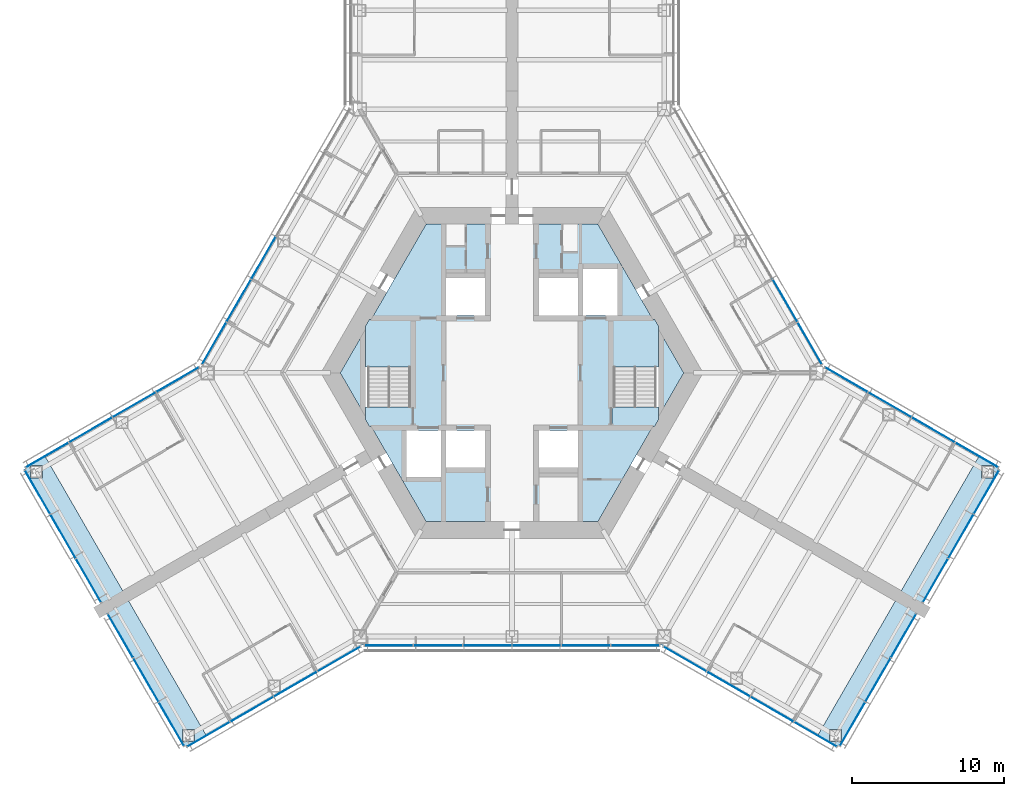
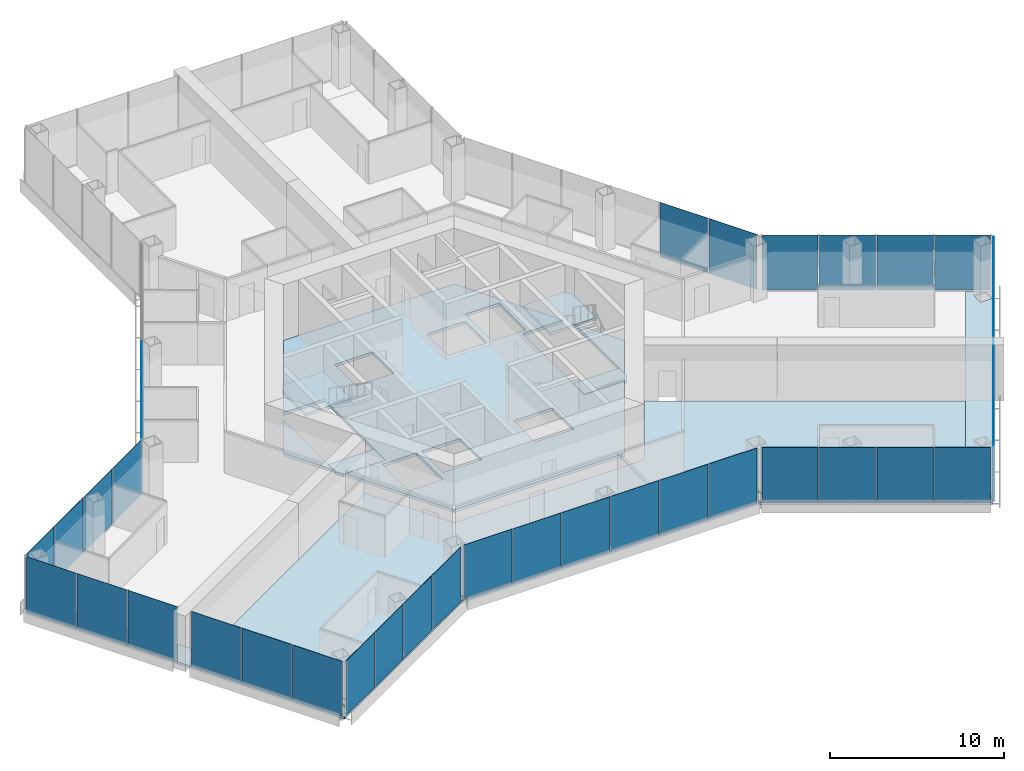
# One storey, part 10 of 18: 39 plates, 10 slabs, 13 elements without a shape of their own.
"""IFC4 building model written with IfcOpenShell, lengths in metres."""

from ifc_helpers import new_model, si_unit, direction, frame, origin, origin_2d, place, context, subcontext, project, spatial, polyline, rectangle, outline, extrude, material, layer, layer_set, type_object, element, aggregate, save


model = new_model("IFC4")

# Units and contexts
model_context = context("Model", 3, precision=1e-05, world=origin(), true_north=direction((0.0, 1.0)))
body_context = subcontext(model_context, "Body", "Model", "MODEL_VIEW")
ifc_project = project(units=[si_unit("LENGTHUNIT", "METRE"), si_unit("AREAUNIT", "SQUARE_METRE"), si_unit("VOLUMEUNIT", "CUBIC_METRE"), si_unit("PLANEANGLEUNIT", "RADIAN"), si_unit("MASSUNIT", "GRAM", prefix="KILO")], contexts=[model_context])

# Site, building, storey
site_placement = place(None, origin())
site = spatial("IfcSite", under=ifc_project, at=site_placement, CompositionType="ELEMENT")
building_placement = place(site_placement, origin())
building = spatial("IfcBuilding", under=site, at=building_placement, Name="Kasaneha Research Tower", CompositionType="ELEMENT")
storey_placement = place(building_placement, frame((0.0, 0.0, 65.10009765625)))
storey = spatial("IfcBuildingStorey", under=building, at=storey_placement, Name="L16", CompositionType="ELEMENT", Elevation=65.10009765625)

# Curtain wall, plates
ifc_material_1 = material(Name="Glass and aluminium", Category="aluminium")
curtain_wall_type = type_object("IfcCurtainWallType", Name="Low-rise office curtain wall", PredefinedType="USERDEFINED", material=ifc_material_1)
curtain_wall_1_placement = place(storey_placement, origin())
curtain_wall_1 = element("IfcCurtainWall", 1, at=curtain_wall_1_placement, inside=storey, type_object=curtain_wall_type, Name="CW-O1 L16 run 01a", ObjectType="UNITISED CURTAIN WALL", PredefinedType="USERDEFINED")
ifc_material_2 = material(Name="Laminated double glazing", Category="glass")
ifc_layer_1 = layer(ifc_material_2, 0.028076171875)
ifc_layer_set_1 = layer_set([ifc_layer_1], Name="CW-O1 glazed panel")
plate_type = type_object("IfcPlateType", Name="CW-O1 glazed panel", PredefinedType="CURTAIN_PANEL", material=ifc_layer_set_1)
plate_1_placement = place(storey_placement, frame((-19.945068359375, -23.755126953125, 0.06005859375), z_axis=(0.0, 0.0, 1.0), x_axis=(0.866025411464, 0.499999986699, 0.0)))
plate_1 = element("IfcPlate", 2, at=plate_1_placement, type_object=plate_type, Name="CW-O1 panel 1", PredefinedType="CURTAIN_PANEL", context=body_context, shape_type="SweptSolid", body=[
    extrude(rectangle(XDim=3.2197265625, YDim=0.028076171875, at=origin_2d()), origin(), (0.0, 0.0, 1.0), 3.840087890625),
])
plate_2_placement = place(storey_placement, frame((-17.091796875, -22.107666015625, 0.06005859375), z_axis=(0.0, 0.0, 1.0), x_axis=(0.866025411464, 0.499999986699, 0.0)))
plate_2 = element("IfcPlate", 3, at=plate_2_placement, type_object=plate_type, Name="CW-O1 panel 2", PredefinedType="CURTAIN_PANEL", context=body_context, shape_type="SweptSolid", body=[
    extrude(rectangle(XDim=3.249755859375, YDim=0.028076171875, at=origin_2d()), origin(), (0.0, 0.0, 1.0), 3.840087890625),
])
plate_3_placement = place(storey_placement, frame((-14.225341796875, -20.452880859375, 0.06005859375), z_axis=(0.0, 0.0, 1.0), x_axis=(0.866025411464, 0.499999986699, 0.0)))
plate_3 = element("IfcPlate", 4, at=plate_3_placement, type_object=plate_type, Name="CW-O1 panel 3", PredefinedType="CURTAIN_PANEL", context=body_context, shape_type="SweptSolid", body=[
    extrude(rectangle(XDim=3.249755859375, YDim=0.028076171875, at=origin_2d()), origin(), (0.0, 0.0, 1.0), 3.840087890625),
])
plate_4_placement = place(storey_placement, frame((-11.3720703125, -18.805419921875, 0.06005859375), z_axis=(0.0, 0.0, 1.0), x_axis=(0.866025411464, 0.499999986699, 0.0)))
plate_4 = element("IfcPlate", 5, at=plate_4_placement, type_object=plate_type, Name="CW-O1 panel 4", PredefinedType="CURTAIN_PANEL", context=body_context, shape_type="SweptSolid", body=[
    extrude(rectangle(XDim=3.2197265625, YDim=0.028076171875, at=origin_2d()), origin(), (0.0, 0.0, 1.0), 3.840087890625),
])
aggregate(curtain_wall_1, [plate_1, plate_2, plate_3, plate_4])

curtain_wall_2_placement = place(storey_placement, origin())
curtain_wall_2 = element("IfcCurtainWall", 6, at=curtain_wall_2_placement, inside=storey, type_object=curtain_wall_type, Name="CW-O1 L16 run 02a", ObjectType="UNITISED CURTAIN WALL", PredefinedType="USERDEFINED")
plate_5_placement = place(storey_placement, frame((-8.10107421875, -17.92041015625, 0.06005859375), z_axis=(0.0, 0.0, 1.0), x_axis=(1.0, 0.0, 0.0)))
plate_5 = element("IfcPlate", 7, at=plate_5_placement, type_object=plate_type, Name="CW-O1 panel 1", PredefinedType="CURTAIN_PANEL", context=body_context, shape_type="SweptSolid", body=[
    extrude(rectangle(XDim=3.156494140625, YDim=0.028076171875, at=origin_2d()), origin(), (0.0, 0.0, 1.0), 3.840087890625),
])
plate_6_placement = place(storey_placement, frame((-4.86962890625, -17.92041015625, 0.06005859375), z_axis=(0.0, 0.0, 1.0), x_axis=(1.0, 0.0, 0.0)))
plate_6 = element("IfcPlate", 8, at=plate_6_placement, type_object=plate_type, Name="CW-O1 panel 2", PredefinedType="CURTAIN_PANEL", context=body_context, shape_type="SweptSolid", body=[
    extrude(rectangle(XDim=3.1865234375, YDim=0.028076171875, at=origin_2d()), origin(), (0.0, 0.0, 1.0), 3.840087890625),
])
plate_7_placement = place(storey_placement, frame((-1.623291015625, -17.92041015625, 0.06005859375), z_axis=(0.0, 0.0, 1.0), x_axis=(1.0, 0.0, 0.0)))
plate_7 = element("IfcPlate", 9, at=plate_7_placement, type_object=plate_type, Name="CW-O1 panel 3", PredefinedType="CURTAIN_PANEL", context=body_context, shape_type="SweptSolid", body=[
    extrude(rectangle(XDim=3.1865234375, YDim=0.028076171875, at=origin_2d()), origin(), (0.0, 0.0, 1.0), 3.840087890625),
])
plate_8_placement = place(storey_placement, frame((1.623291015625, -17.92041015625, 0.06005859375), z_axis=(0.0, 0.0, 1.0), x_axis=(1.0, 0.0, 0.0)))
plate_8 = element("IfcPlate", 10, at=plate_8_placement, type_object=plate_type, Name="CW-O1 panel 4", PredefinedType="CURTAIN_PANEL", context=body_context, shape_type="SweptSolid", body=[
    extrude(rectangle(XDim=3.1865234375, YDim=0.028076171875, at=origin_2d()), origin(), (0.0, 0.0, 1.0), 3.840087890625),
])
plate_9_placement = place(storey_placement, frame((4.86962890625, -17.92041015625, 0.06005859375), z_axis=(0.0, 0.0, 1.0), x_axis=(1.0, 0.0, 0.0)))
plate_9 = element("IfcPlate", 11, at=plate_9_placement, type_object=plate_type, Name="CW-O1 panel 5", PredefinedType="CURTAIN_PANEL", context=body_context, shape_type="SweptSolid", body=[
    extrude(rectangle(XDim=3.1865234375, YDim=0.028076171875, at=origin_2d()), origin(), (0.0, 0.0, 1.0), 3.840087890625),
])
plate_10_placement = place(storey_placement, frame((8.10107421875, -17.92041015625, 0.06005859375), z_axis=(0.0, 0.0, 1.0), x_axis=(1.0, 0.0, 0.0)))
plate_10 = element("IfcPlate", 12, at=plate_10_placement, type_object=plate_type, Name="CW-O1 panel 6", PredefinedType="CURTAIN_PANEL", context=body_context, shape_type="SweptSolid", body=[
    extrude(rectangle(XDim=3.156494140625, YDim=0.028076171875, at=origin_2d()), origin(), (0.0, 0.0, 1.0), 3.840087890625),
])
aggregate(curtain_wall_2, [plate_5, plate_6, plate_7, plate_8, plate_9, plate_10])

curtain_wall_3_placement = place(storey_placement, origin())
curtain_wall_3 = element("IfcCurtainWall", 13, at=curtain_wall_3_placement, inside=storey, type_object=curtain_wall_type, Name="CW-O1 L16 run 03a", ObjectType="UNITISED CURTAIN WALL", PredefinedType="USERDEFINED")
plate_11_placement = place(storey_placement, frame((11.3720703125, -18.805419921875, 0.06005859375), z_axis=(0.0, 0.0, 1.0), x_axis=(0.866025411464, -0.499999986699, 0.0)))
plate_11 = element("IfcPlate", 14, at=plate_11_placement, type_object=plate_type, Name="CW-O1 panel 1", PredefinedType="CURTAIN_PANEL", context=body_context, shape_type="SweptSolid", body=[
    extrude(rectangle(XDim=3.2197265625, YDim=0.028076171875, at=origin_2d()), origin(), (0.0, 0.0, 1.0), 3.840087890625),
])
plate_12_placement = place(storey_placement, frame((14.225341796875, -20.452880859375, 0.06005859375), z_axis=(0.0, 0.0, 1.0), x_axis=(0.866025411464, -0.499999986699, 0.0)))
plate_12 = element("IfcPlate", 15, at=plate_12_placement, type_object=plate_type, Name="CW-O1 panel 2", PredefinedType="CURTAIN_PANEL", context=body_context, shape_type="SweptSolid", body=[
    extrude(rectangle(XDim=3.249755859375, YDim=0.028076171875, at=origin_2d()), origin(), (0.0, 0.0, 1.0), 3.840087890625),
])
plate_13_placement = place(storey_placement, frame((17.091796875, -22.107666015625, 0.06005859375), z_axis=(0.0, 0.0, 1.0), x_axis=(0.866025411464, -0.499999986699, 0.0)))
plate_13 = element("IfcPlate", 16, at=plate_13_placement, type_object=plate_type, Name="CW-O1 panel 3", PredefinedType="CURTAIN_PANEL", context=body_context, shape_type="SweptSolid", body=[
    extrude(rectangle(XDim=3.249755859375, YDim=0.028076171875, at=origin_2d()), origin(), (0.0, 0.0, 1.0), 3.840087890625),
])
plate_14_placement = place(storey_placement, frame((19.945068359375, -23.755126953125, 0.06005859375), z_axis=(0.0, 0.0, 1.0), x_axis=(0.866025411464, -0.499999986699, 0.0)))
plate_14 = element("IfcPlate", 17, at=plate_14_placement, type_object=plate_type, Name="CW-O1 panel 4", PredefinedType="CURTAIN_PANEL", context=body_context, shape_type="SweptSolid", body=[
    extrude(rectangle(XDim=3.2197265625, YDim=0.028076171875, at=origin_2d()), origin(), (0.0, 0.0, 1.0), 3.840087890625),
])
aggregate(curtain_wall_3, [plate_11, plate_12, plate_13, plate_14])

curtain_wall_4_placement = place(storey_placement, origin())
curtain_wall_4 = element("IfcCurtainWall", 18, at=curtain_wall_4_placement, inside=storey, type_object=curtain_wall_type, Name="CW-O1 L16 run 04a", ObjectType="UNITISED CURTAIN WALL", PredefinedType="USERDEFINED")
plate_15_placement = place(storey_placement, frame((22.377197265625, -23.082763671875, 0.06005859375), z_axis=(0.0, 0.0, 1.0), x_axis=(0.500000011442, 0.866025397178, 0.0)))
plate_15 = element("IfcPlate", 19, at=plate_15_placement, type_object=plate_type, Name="CW-O1 panel 1", PredefinedType="CURTAIN_PANEL", context=body_context, shape_type="SweptSolid", body=[
    extrude(rectangle(XDim=3.276611328125, YDim=0.028076171875, at=origin_2d()), origin(), (0.0, 0.0, 1.0), 3.840087890625),
])
plate_16_placement = place(storey_placement, frame((24.052978515625, -20.18017578125, 0.06005859375), z_axis=(0.0, 0.0, 1.0), x_axis=(0.500000011442, 0.866025397178, 0.0)))
plate_16 = element("IfcPlate", 20, at=plate_16_placement, type_object=plate_type, Name="CW-O1 panel 2", PredefinedType="CURTAIN_PANEL", context=body_context, shape_type="SweptSolid", body=[
    extrude(rectangle(XDim=3.306640625, YDim=0.028076171875, at=origin_2d()), origin(), (0.0, 0.0, 1.0), 3.840087890625),
])
plate_17_placement = place(storey_placement, frame((25.728759765625, -17.27734375, 0.06005859375), z_axis=(0.0, 0.0, 1.0), x_axis=(0.500000011442, 0.866025397178, 0.0)))
plate_17 = element("IfcPlate", 21, at=plate_17_placement, type_object=plate_type, Name="CW-O1 panel 3", PredefinedType="CURTAIN_PANEL", context=body_context, shape_type="SweptSolid", body=[
    extrude(rectangle(XDim=3.276611328125, YDim=0.028076171875, at=origin_2d()), origin(), (0.0, 0.0, 1.0), 3.840087890625),
])
aggregate(curtain_wall_4, [plate_15, plate_16, plate_17])

curtain_wall_5_placement = place(storey_placement, origin())
curtain_wall_5 = element("IfcCurtainWall", 22, at=curtain_wall_5_placement, inside=storey, type_object=curtain_wall_type, Name="CW-O1 L16 run 05a", ObjectType="UNITISED CURTAIN WALL", PredefinedType="USERDEFINED")
plate_18_placement = place(storey_placement, frame((27.8271484375, -13.64306640625, 0.06005859375), z_axis=(0.0, 0.0, 1.0), x_axis=(0.500000011442, 0.866025397178, 0.0)))
plate_18 = element("IfcPlate", 23, at=plate_18_placement, type_object=plate_type, Name="CW-O1 panel 1", PredefinedType="CURTAIN_PANEL", context=body_context, shape_type="SweptSolid", body=[
    extrude(rectangle(XDim=3.276611328125, YDim=0.028076171875, at=origin_2d()), origin(), (0.0, 0.0, 1.0), 3.840087890625),
])
plate_19_placement = place(storey_placement, frame((29.5029296875, -10.740478515625, 0.06005859375), z_axis=(0.0, 0.0, 1.0), x_axis=(0.500000011442, 0.866025397178, 0.0)))
plate_19 = element("IfcPlate", 24, at=plate_19_placement, type_object=plate_type, Name="CW-O1 panel 2", PredefinedType="CURTAIN_PANEL", context=body_context, shape_type="SweptSolid", body=[
    extrude(rectangle(XDim=3.306640625, YDim=0.028076171875, at=origin_2d()), origin(), (0.0, 0.0, 1.0), 3.840087890625),
])
plate_20_placement = place(storey_placement, frame((31.1787109375, -7.837890625, 0.06005859375), z_axis=(0.0, 0.0, 1.0), x_axis=(0.500000011442, 0.866025397178, 0.0)))
plate_20 = element("IfcPlate", 25, at=plate_20_placement, type_object=plate_type, Name="CW-O1 panel 3", PredefinedType="CURTAIN_PANEL", context=body_context, shape_type="SweptSolid", body=[
    extrude(rectangle(XDim=3.276611328125, YDim=0.028076171875, at=origin_2d()), origin(), (0.0, 0.0, 1.0), 3.840087890625),
])
aggregate(curtain_wall_5, [plate_18, plate_19, plate_20])

curtain_wall_6_placement = place(storey_placement, origin())
curtain_wall_6 = element("IfcCurtainWall", 26, at=curtain_wall_6_placement, inside=storey, type_object=curtain_wall_type, Name="CW-O1 L16 run 06a", ObjectType="UNITISED CURTAIN WALL", PredefinedType="USERDEFINED")
plate_21_placement = place(storey_placement, frame((30.545166015625, -5.3955078125, 0.06005859375), z_axis=(0.0, 0.0, 1.0), x_axis=(-0.866025411464, 0.499999986699, 0.0)))
plate_21 = element("IfcPlate", 27, at=plate_21_placement, type_object=plate_type, Name="CW-O1 panel 1", PredefinedType="CURTAIN_PANEL", context=body_context, shape_type="SweptSolid", body=[
    extrude(rectangle(XDim=3.2197265625, YDim=0.028076171875, at=origin_2d()), origin(), (0.0, 0.0, 1.0), 3.840087890625),
])
plate_22_placement = place(storey_placement, frame((27.69189453125, -3.748046875, 0.06005859375), z_axis=(0.0, 0.0, 1.0), x_axis=(-0.866025411464, 0.499999986699, 0.0)))
plate_22 = element("IfcPlate", 28, at=plate_22_placement, type_object=plate_type, Name="CW-O1 panel 2", PredefinedType="CURTAIN_PANEL", context=body_context, shape_type="SweptSolid", body=[
    extrude(rectangle(XDim=3.249755859375, YDim=0.028076171875, at=origin_2d()), origin(), (0.0, 0.0, 1.0), 3.840087890625),
])
plate_23_placement = place(storey_placement, frame((24.825439453125, -2.093017578125, 0.06005859375), z_axis=(0.0, 0.0, 1.0), x_axis=(-0.866025411464, 0.499999986699, 0.0)))
plate_23 = element("IfcPlate", 29, at=plate_23_placement, type_object=plate_type, Name="CW-O1 panel 3", PredefinedType="CURTAIN_PANEL", context=body_context, shape_type="SweptSolid", body=[
    extrude(rectangle(XDim=3.249755859375, YDim=0.028076171875, at=origin_2d()), origin(), (0.0, 0.0, 1.0), 3.840087890625),
])
plate_24_placement = place(storey_placement, frame((21.971923828125, -0.44580078125, 0.06005859375), z_axis=(0.0, 0.0, 1.0), x_axis=(-0.866025411464, 0.499999986699, 0.0)))
plate_24 = element("IfcPlate", 30, at=plate_24_placement, type_object=plate_type, Name="CW-O1 panel 4", PredefinedType="CURTAIN_PANEL", context=body_context, shape_type="SweptSolid", body=[
    extrude(rectangle(XDim=3.2197265625, YDim=0.028076171875, at=origin_2d()), origin(), (0.0, 0.0, 1.0), 3.840087890625),
])
aggregate(curtain_wall_6, [plate_21, plate_22, plate_23, plate_24])

curtain_wall_7_placement = place(storey_placement, origin())
curtain_wall_7 = element("IfcCurtainWall", 31, at=curtain_wall_7_placement, inside=storey, type_object=curtain_wall_type, Name="CW-O1 L16 run 07a", ObjectType="UNITISED CURTAIN WALL", PredefinedType="USERDEFINED")
plate_25_placement = place(storey_placement, frame((19.570068359375, 1.944580078125, 0.06005859375), z_axis=(0.0, 0.0, 1.0), x_axis=(-0.49999996188, 0.866025425793, 0.0)))
plate_25 = element("IfcPlate", 32, at=plate_25_placement, type_object=plate_type, Name="CW-O1 panel 1", PredefinedType="CURTAIN_PANEL", context=body_context, shape_type="SweptSolid", body=[
    extrude(rectangle(XDim=3.156494140625, YDim=0.028076171875, at=origin_2d()), origin(), (0.0, 0.0, 1.0), 3.840087890625),
])
plate_26_placement = place(storey_placement, frame((17.954345703125, 4.7431640625, 0.06005859375), z_axis=(0.0, 0.0, 1.0), x_axis=(-0.49999996188, 0.866025425793, 0.0)))
plate_26 = element("IfcPlate", 33, at=plate_26_placement, type_object=plate_type, Name="CW-O1 panel 2", PredefinedType="CURTAIN_PANEL", context=body_context, shape_type="SweptSolid", body=[
    extrude(rectangle(XDim=3.1865234375, YDim=0.028076171875, at=origin_2d()), origin(), (0.0, 0.0, 1.0), 3.840087890625),
])
aggregate(curtain_wall_7, [plate_25, plate_26])

curtain_wall_8_placement = place(storey_placement, origin())
curtain_wall_8 = element("IfcCurtainWall", 34, at=curtain_wall_8_placement, inside=storey, type_object=curtain_wall_type, Name="CW-O1 L16 run 12a", ObjectType="UNITISED CURTAIN WALL", PredefinedType="USERDEFINED")
plate_27_placement = place(storey_placement, frame((-16.331298828125, 7.554443359375, 0.06005859375), z_axis=(0.0, 0.0, 1.0), x_axis=(-0.49999996188, -0.866025425793, 0.0)))
plate_27 = element("IfcPlate", 35, at=plate_27_placement, type_object=plate_type, Name="CW-O1 panel 4", PredefinedType="CURTAIN_PANEL", context=body_context, shape_type="SweptSolid", body=[
    extrude(rectangle(XDim=3.1865234375, YDim=0.028076171875, at=origin_2d()), origin(), (0.0, 0.0, 1.0), 3.840087890625),
])
plate_28_placement = place(storey_placement, frame((-17.954345703125, 4.7431640625, 0.06005859375), z_axis=(0.0, 0.0, 1.0), x_axis=(-0.49999996188, -0.866025425793, 0.0)))
plate_28 = element("IfcPlate", 36, at=plate_28_placement, type_object=plate_type, Name="CW-O1 panel 5", PredefinedType="CURTAIN_PANEL", context=body_context, shape_type="SweptSolid", body=[
    extrude(rectangle(XDim=3.1865234375, YDim=0.028076171875, at=origin_2d()), origin(), (0.0, 0.0, 1.0), 3.840087890625),
])
plate_29_placement = place(storey_placement, frame((-19.570068359375, 1.944580078125, 0.06005859375), z_axis=(0.0, 0.0, 1.0), x_axis=(-0.49999996188, -0.866025425793, 0.0)))
plate_29 = element("IfcPlate", 37, at=plate_29_placement, type_object=plate_type, Name="CW-O1 panel 6", PredefinedType="CURTAIN_PANEL", context=body_context, shape_type="SweptSolid", body=[
    extrude(rectangle(XDim=3.156494140625, YDim=0.028076171875, at=origin_2d()), origin(), (0.0, 0.0, 1.0), 3.840087890625),
])
aggregate(curtain_wall_8, [plate_27, plate_28, plate_29])

curtain_wall_9_placement = place(storey_placement, origin())
curtain_wall_9 = element("IfcCurtainWall", 38, at=curtain_wall_9_placement, inside=storey, type_object=curtain_wall_type, Name="CW-O1 L16 run 13a", ObjectType="UNITISED CURTAIN WALL", PredefinedType="USERDEFINED")
plate_30_placement = place(storey_placement, frame((-21.971923828125, -0.44580078125, 0.06005859375), z_axis=(0.0, 0.0, 1.0), x_axis=(-0.866025411464, -0.499999986699, 0.0)))
plate_30 = element("IfcPlate", 39, at=plate_30_placement, type_object=plate_type, Name="CW-O1 panel 1", PredefinedType="CURTAIN_PANEL", context=body_context, shape_type="SweptSolid", body=[
    extrude(rectangle(XDim=3.2197265625, YDim=0.028076171875, at=origin_2d()), origin(), (0.0, 0.0, 1.0), 3.840087890625),
])
plate_31_placement = place(storey_placement, frame((-24.825439453125, -2.093017578125, 0.06005859375), z_axis=(0.0, 0.0, 1.0), x_axis=(-0.866025411464, -0.499999986699, 0.0)))
plate_31 = element("IfcPlate", 40, at=plate_31_placement, type_object=plate_type, Name="CW-O1 panel 2", PredefinedType="CURTAIN_PANEL", context=body_context, shape_type="SweptSolid", body=[
    extrude(rectangle(XDim=3.249755859375, YDim=0.028076171875, at=origin_2d()), origin(), (0.0, 0.0, 1.0), 3.840087890625),
])
plate_32_placement = place(storey_placement, frame((-27.69189453125, -3.748046875, 0.06005859375), z_axis=(0.0, 0.0, 1.0), x_axis=(-0.866025411464, -0.499999986699, 0.0)))
plate_32 = element("IfcPlate", 41, at=plate_32_placement, type_object=plate_type, Name="CW-O1 panel 3", PredefinedType="CURTAIN_PANEL", context=body_context, shape_type="SweptSolid", body=[
    extrude(rectangle(XDim=3.249755859375, YDim=0.028076171875, at=origin_2d()), origin(), (0.0, 0.0, 1.0), 3.840087890625),
])
plate_33_placement = place(storey_placement, frame((-30.545166015625, -5.3955078125, 0.06005859375), z_axis=(0.0, 0.0, 1.0), x_axis=(-0.866025411464, -0.499999986699, 0.0)))
plate_33 = element("IfcPlate", 42, at=plate_33_placement, type_object=plate_type, Name="CW-O1 panel 4", PredefinedType="CURTAIN_PANEL", context=body_context, shape_type="SweptSolid", body=[
    extrude(rectangle(XDim=3.2197265625, YDim=0.028076171875, at=origin_2d()), origin(), (0.0, 0.0, 1.0), 3.840087890625),
])
aggregate(curtain_wall_9, [plate_30, plate_31, plate_32, plate_33])

curtain_wall_10_placement = place(storey_placement, origin())
curtain_wall_10 = element("IfcCurtainWall", 43, at=curtain_wall_10_placement, inside=storey, type_object=curtain_wall_type, Name="CW-O1 L16 run 14a", ObjectType="UNITISED CURTAIN WALL", PredefinedType="USERDEFINED")
plate_34_placement = place(storey_placement, frame((-31.1787109375, -7.837890625, 0.06005859375), z_axis=(0.0, 0.0, 1.0), x_axis=(0.500000011442, -0.866025397178, 0.0)))
plate_34 = element("IfcPlate", 44, at=plate_34_placement, type_object=plate_type, Name="CW-O1 panel 1", PredefinedType="CURTAIN_PANEL", context=body_context, shape_type="SweptSolid", body=[
    extrude(rectangle(XDim=3.276611328125, YDim=0.028076171875, at=origin_2d()), origin(), (0.0, 0.0, 1.0), 3.840087890625),
])
plate_35_placement = place(storey_placement, frame((-29.5029296875, -10.740478515625, 0.06005859375), z_axis=(0.0, 0.0, 1.0), x_axis=(0.500000011442, -0.866025397178, 0.0)))
plate_35 = element("IfcPlate", 45, at=plate_35_placement, type_object=plate_type, Name="CW-O1 panel 2", PredefinedType="CURTAIN_PANEL", context=body_context, shape_type="SweptSolid", body=[
    extrude(rectangle(XDim=3.306640625, YDim=0.028076171875, at=origin_2d()), origin(), (0.0, 0.0, 1.0), 3.840087890625),
])
plate_36_placement = place(storey_placement, frame((-27.8271484375, -13.64306640625, 0.06005859375), z_axis=(0.0, 0.0, 1.0), x_axis=(0.500000011442, -0.866025397178, 0.0)))
plate_36 = element("IfcPlate", 46, at=plate_36_placement, type_object=plate_type, Name="CW-O1 panel 3", PredefinedType="CURTAIN_PANEL", context=body_context, shape_type="SweptSolid", body=[
    extrude(rectangle(XDim=3.276611328125, YDim=0.028076171875, at=origin_2d()), origin(), (0.0, 0.0, 1.0), 3.840087890625),
])
aggregate(curtain_wall_10, [plate_34, plate_35, plate_36])

curtain_wall_11_placement = place(storey_placement, origin())
curtain_wall_11 = element("IfcCurtainWall", 47, at=curtain_wall_11_placement, inside=storey, type_object=curtain_wall_type, Name="CW-O1 L16 run 15a", ObjectType="UNITISED CURTAIN WALL", PredefinedType="USERDEFINED")
plate_37_placement = place(storey_placement, frame((-25.728759765625, -17.27734375, 0.06005859375), z_axis=(0.0, 0.0, 1.0), x_axis=(0.500000011442, -0.866025397178, 0.0)))
plate_37 = element("IfcPlate", 48, at=plate_37_placement, type_object=plate_type, Name="CW-O1 panel 1", PredefinedType="CURTAIN_PANEL", context=body_context, shape_type="SweptSolid", body=[
    extrude(rectangle(XDim=3.276611328125, YDim=0.028076171875, at=origin_2d()), origin(), (0.0, 0.0, 1.0), 3.840087890625),
])
plate_38_placement = place(storey_placement, frame((-24.052978515625, -20.18017578125, 0.06005859375), z_axis=(0.0, 0.0, 1.0), x_axis=(0.500000011442, -0.866025397178, 0.0)))
plate_38 = element("IfcPlate", 49, at=plate_38_placement, type_object=plate_type, Name="CW-O1 panel 2", PredefinedType="CURTAIN_PANEL", context=body_context, shape_type="SweptSolid", body=[
    extrude(rectangle(XDim=3.306640625, YDim=0.028076171875, at=origin_2d()), origin(), (0.0, 0.0, 1.0), 3.840087890625),
])
plate_39_placement = place(storey_placement, frame((-22.377197265625, -23.082763671875, 0.06005859375), z_axis=(0.0, 0.0, 1.0), x_axis=(0.500000011442, -0.866025397178, 0.0)))
plate_39 = element("IfcPlate", 50, at=plate_39_placement, type_object=plate_type, Name="CW-O1 panel 3", PredefinedType="CURTAIN_PANEL", context=body_context, shape_type="SweptSolid", body=[
    extrude(rectangle(XDim=3.276611328125, YDim=0.028076171875, at=origin_2d()), origin(), (0.0, 0.0, 1.0), 3.840087890625),
])
aggregate(curtain_wall_11, [plate_37, plate_38, plate_39])

# Slabs
ifc_material_3 = material(Name="Concrete Fc24", Category="concrete")
ifc_layer_2 = layer(ifc_material_3, 0.199951171875)
ifc_layer_set_2 = layer_set([ifc_layer_2], Name="Core floor slab 200")
slab_type_1 = type_object("IfcSlabType", Name="Core floor slab 200", PredefinedType="FLOOR", material=ifc_layer_set_2)
slab_1_placement = place(storey_placement, frame((0.0, 0.0, -0.2001953125)))
element("IfcSlab", 51, at=slab_1_placement, inside=storey, type_object=slab_type_1, Name="Core slab L16", PredefinedType="FLOOR", context=body_context, shape_type="SweptSolid", body=[
    extrude(outline(polyline([(-11.287109375, 0.0), (-9.625, 2.87890625), (-9.625, -2.87890625), (-11.287109375, 0.0)])), origin(), (0.0, 0.0, 1.0), 0.2001953125),
])
slab_2_placement = place(storey_placement, frame((0.0, 0.0, -0.2001953125)))
element("IfcSlab", 52, at=slab_2_placement, inside=storey, type_object=slab_type_1, Name="Core slab L16", PredefinedType="FLOOR", context=body_context, shape_type="SweptSolid", body=[
    extrude(outline(polyline([(-5.6435546875, 9.77490234375), (5.6435546875, 9.77490234375), (9.251953125, 3.52490234375), (6.574951171875, 3.52490234375), (6.574951171875, -3.52490234375), (9.251953125, -3.52490234375), (5.6435546875, -9.77490234375), (-5.6435546875, -9.77490234375), (-9.251953125, -3.52490234375), (-6.574951171875, -3.52490234375), (-6.574951171875, 3.52490234375), (-9.251953125, 3.52490234375), (-5.6435546875, 9.77490234375)]), holes=[polyline([(-6.925048828125, -3.77490234375), (-6.925048828125, -6.824951171875), (-4.675048828125, -6.824951171875), (-4.675048828125, -3.77490234375), (-6.925048828125, -3.77490234375)]), polyline([(-4.324951171875, -3.77490234375), (-4.324951171875, -6.22509765625), (-1.77490234375, -6.22509765625), (-1.77490234375, -3.77490234375), (-4.324951171875, -3.77490234375)]), polyline([(1.77490234375, -3.77490234375), (1.77490234375, -6.22509765625), (4.324951171875, -6.22509765625), (4.324951171875, -3.77490234375), (1.77490234375, -3.77490234375)]), polyline([(-4.324951171875, 6.22509765625), (-4.324951171875, 3.77490234375), (-1.77490234375, 3.77490234375), (-1.77490234375, 6.22509765625), (-4.324951171875, 6.22509765625)]), polyline([(1.77490234375, 6.22509765625), (1.77490234375, 3.77490234375), (4.324951171875, 3.77490234375), (4.324951171875, 6.22509765625), (1.77490234375, 6.22509765625)]), polyline([(4.675048828125, 6.824951171875), (4.675048828125, 3.77490234375), (6.925048828125, 3.77490234375), (6.925048828125, 6.824951171875), (4.675048828125, 6.824951171875)])]), origin(), (0.0, 0.0, 1.0), 0.2001953125),
])
slab_3_placement = place(storey_placement, frame((0.0, 0.0, -0.2001953125)))
element("IfcSlab", 53, at=slab_3_placement, inside=storey, type_object=slab_type_1, Name="Core slab L16", PredefinedType="FLOOR", context=body_context, shape_type="SweptSolid", body=[
    extrude(outline(polyline([(11.287109375, 0.0), (9.625, -2.87890625), (9.625, 2.87890625), (11.287109375, 0.0)])), origin(), (0.0, 0.0, 1.0), 0.2001953125),
])
ifc_material_4 = material(Name="Concrete Fc24", Category="concrete")
ifc_layer_3 = layer(ifc_material_4, 0.14990234375)
ifc_layer_set_3 = layer_set([ifc_layer_3], Name="Floor slab 150")
slab_type_2 = type_object("IfcSlabType", Name="Floor slab 150", PredefinedType="FLOOR", material=ifc_layer_set_3)
slab_4_placement = place(storey_placement, frame((0.0, 0.0, -0.150146484375)))
element("IfcSlab", 54, at=slab_4_placement, inside=storey, type_object=slab_type_2, Name="Floor slab L16 1", PredefinedType="FLOOR", context=body_context, shape_type="SweptSolid", body=[
    extrude(outline(polyline([(-25.1923828125, -15.006591796875), (-25.18359375, -15.001708984375), (-20.108642578125, -23.791748046875), (-21.459716796875, -24.57177734375), (-21.65576171875, -24.232177734375), (-21.644287109375, -24.220703125), (-20.858154296875, -24.220703125), (-20.858154296875, -23.42041015625), (-21.658447265625, -23.42041015625), (-21.658447265625, -24.20654296875), (-21.666015625, -24.214111328125), (-31.65576171875, -6.91162109375), (-31.644287109375, -6.900146484375), (-30.858154296875, -6.900146484375), (-30.858154296875, -6.099853515625), (-31.658447265625, -6.099853515625), (-31.658447265625, -6.885986328125), (-31.666015625, -6.8935546875), (-32.009521484375, -6.298583984375), (-30.65869140625, -5.518798828125), (-25.583740234375, -14.308837890625), (-25.59228515625, -14.313720703125), (-25.1923828125, -15.006591796875)])), origin(), (0.0, 0.0, 1.0), 0.150146484375),
])
slab_5_placement = place(storey_placement, frame((0.0, 0.0, -0.150146484375)))
element("IfcSlab", 55, at=slab_5_placement, inside=storey, type_object=slab_type_2, Name="Floor slab L16 4", PredefinedType="FLOOR", context=body_context, shape_type="SweptSolid", body=[
    extrude(outline(polyline([(-6.278564453125, -10.875), (6.278564453125, -10.875), (9.218017578125, -5.783935546875), (25.18359375, -15.001708984375), (20.108642578125, -23.791748046875), (14.369384765625, -20.478271484375), (14.377197265625, -20.470703125), (15.163330078125, -20.470703125), (15.163330078125, -19.67041015625), (14.363037109375, -19.67041015625), (14.363037109375, -20.45654296875), (14.3515625, -20.468017578125), (9.8525390625, -17.87060546875), (-9.8525390625, -17.87060546875), (-15.217529296875, -20.968017578125), (-15.22900390625, -20.95654296875), (-15.22900390625, -20.17041015625), (-16.029296875, -20.17041015625), (-16.029296875, -20.970703125), (-15.2431640625, -20.970703125), (-15.235595703125, -20.978271484375), (-20.108642578125, -23.791748046875), (-25.18359375, -15.001708984375), (-9.218017578125, -5.783935546875), (-6.278564453125, -10.875)]), holes=[polyline([(0.39990234375, -17.720458984375), (0.39990234375, -16.92041015625), (-0.39990234375, -16.92041015625), (-0.39990234375, -17.720458984375), (0.39990234375, -17.720458984375)]), polyline([(-9.550048828125, -16.87060546875), (-10.449951171875, -16.87060546875), (-10.449951171875, -17.7705078125), (-9.550048828125, -17.7705078125), (-9.550048828125, -16.87060546875)]), polyline([(10.449951171875, -16.87060546875), (9.550048828125, -16.87060546875), (9.550048828125, -17.7705078125), (10.449951171875, -17.7705078125), (10.449951171875, -16.87060546875)])]), origin(), (0.0, 0.0, 1.0), 0.150146484375),
])
slab_6_placement = place(storey_placement, frame((0.0, 0.0, -0.150146484375)))
element("IfcSlab", 56, at=slab_6_placement, inside=storey, type_object=slab_type_2, Name="Floor slab L16 6", PredefinedType="FLOOR", context=body_context, shape_type="SweptSolid", body=[
    extrude(outline(polyline([(25.1923828125, -15.006591796875), (25.59228515625, -14.313720703125), (25.583740234375, -14.308837890625), (30.65869140625, -5.518798828125), (32.009521484375, -6.298583984375), (31.666015625, -6.8935546875), (31.658447265625, -6.885986328125), (31.658447265625, -6.099853515625), (30.858154296875, -6.099853515625), (30.858154296875, -6.900146484375), (31.644287109375, -6.900146484375), (31.65576171875, -6.91162109375), (21.666015625, -24.214111328125), (21.658447265625, -24.20654296875), (21.658447265625, -23.42041015625), (20.858154296875, -23.42041015625), (20.858154296875, -24.220703125), (21.644287109375, -24.220703125), (21.65576171875, -24.232177734375), (21.459716796875, -24.57177734375), (20.108642578125, -23.791748046875), (25.18359375, -15.001708984375), (25.1923828125, -15.006591796875)])), origin(), (0.0, 0.0, 1.0), 0.150146484375),
])

# Stair, slabs
ifc_material_5 = material(Name="Concrete Fc24", Category="concrete")
stair_type = type_object("IfcStairType", Name="Half-turn stair 22 risers", PredefinedType="HALF_TURN_STAIR", material=ifc_material_5)
stair_1_placement = place(storey_placement, origin())
stair_1 = element("IfcStair", 57, at=stair_1_placement, inside=storey, type_object=stair_type, Name="Stair 1 L16", PredefinedType="HALF_TURN_STAIR")
ifc_material_6 = material(Name="Concrete Fc24", Category="concrete")
ifc_layer_4 = layer(ifc_material_6, 0.199951171875)
ifc_layer_set_4 = layer_set([ifc_layer_4], Name="Stair 1 landing 200")
slab_type_3 = type_object("IfcSlabType", Name="Stair 1 landing 200", PredefinedType="LANDING", material=ifc_layer_set_4)
slab_7_placement = place(storey_placement, frame((0.0, 0.0, -0.2001953125)))
slab_7 = element("IfcSlab", 58, at=slab_7_placement, type_object=slab_type_3, Name="ST1-22R landing 1", PredefinedType="LANDING", context=body_context, shape_type="SweptSolid", body=[
    extrude(outline(polyline([(9.367431640625, -3.52490234375), (6.574951171875, -3.52490234375), (6.574951171875, -2.22509765625), (9.625, -2.22509765625), (9.625, -3.0791015625), (9.367431640625, -3.52490234375)])), origin(), (0.0, 0.0, 1.0), 0.2001953125),
])
slab_8_placement = place(storey_placement, frame((0.0, 0.0, 1.75)))
slab_8 = element("IfcSlab", 59, at=slab_8_placement, type_object=slab_type_3, Name="ST1-22R landing 2", PredefinedType="LANDING", context=body_context, shape_type="SweptSolid", body=[
    extrude(outline(polyline([(6.574951171875, 3.52490234375), (9.367431640625, 3.52490234375), (9.625, 3.0791015625), (9.625, 0.375), (6.574951171875, 0.375), (6.574951171875, 3.52490234375)])), origin(), (0.0, 0.0, 1.0), 0.199951171875),
])
aggregate(stair_1, [slab_7, slab_8])

stair_2_placement = place(storey_placement, origin())
stair_2 = element("IfcStair", 60, at=stair_2_placement, inside=storey, type_object=stair_type, Name="Stair 2 L16", PredefinedType="HALF_TURN_STAIR")
ifc_material_7 = material(Name="Concrete Fc24", Category="concrete")
ifc_layer_5 = layer(ifc_material_7, 0.199951171875)
ifc_layer_set_5 = layer_set([ifc_layer_5], Name="Stair 2 landing 200")
slab_type_4 = type_object("IfcSlabType", Name="Stair 2 landing 200", PredefinedType="LANDING", material=ifc_layer_set_5)
slab_9_placement = place(storey_placement, frame((0.0, 0.0, -0.2001953125)))
slab_9 = element("IfcSlab", 61, at=slab_9_placement, type_object=slab_type_4, Name="ST2-22R landing 1", PredefinedType="LANDING", context=body_context, shape_type="SweptSolid", body=[
    extrude(outline(polyline([(-6.574951171875, -3.52490234375), (-9.367431640625, -3.52490234375), (-9.625, -3.0791015625), (-9.625, -2.22509765625), (-6.574951171875, -2.22509765625), (-6.574951171875, -3.52490234375)])), origin(), (0.0, 0.0, 1.0), 0.2001953125),
])
slab_10_placement = place(storey_placement, frame((0.0, 0.0, 1.75)))
slab_10 = element("IfcSlab", 62, at=slab_10_placement, type_object=slab_type_4, Name="ST2-22R landing 2", PredefinedType="LANDING", context=body_context, shape_type="SweptSolid", body=[
    extrude(outline(polyline([(-6.574951171875, 0.375), (-9.625, 0.375), (-9.625, 3.0791015625), (-9.367431640625, 3.52490234375), (-6.574951171875, 3.52490234375), (-6.574951171875, 0.375)])), origin(), (0.0, 0.0, 1.0), 0.199951171875),
])
aggregate(stair_2, [slab_9, slab_10])

save(model, "model.ifc")
